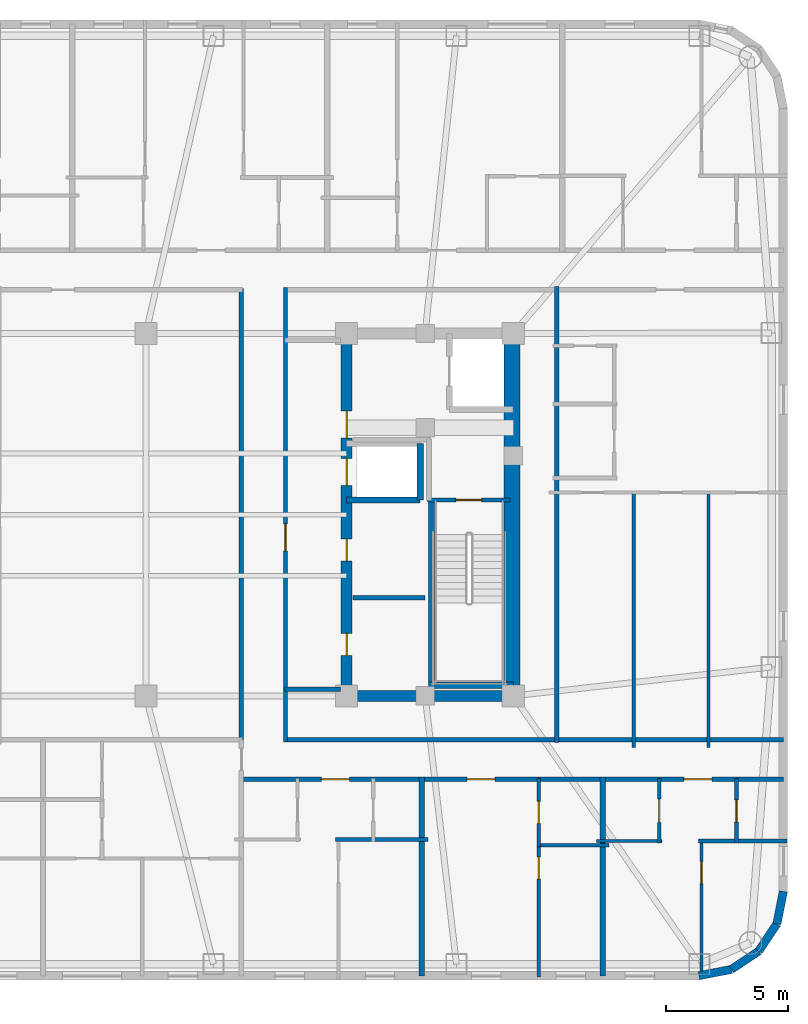
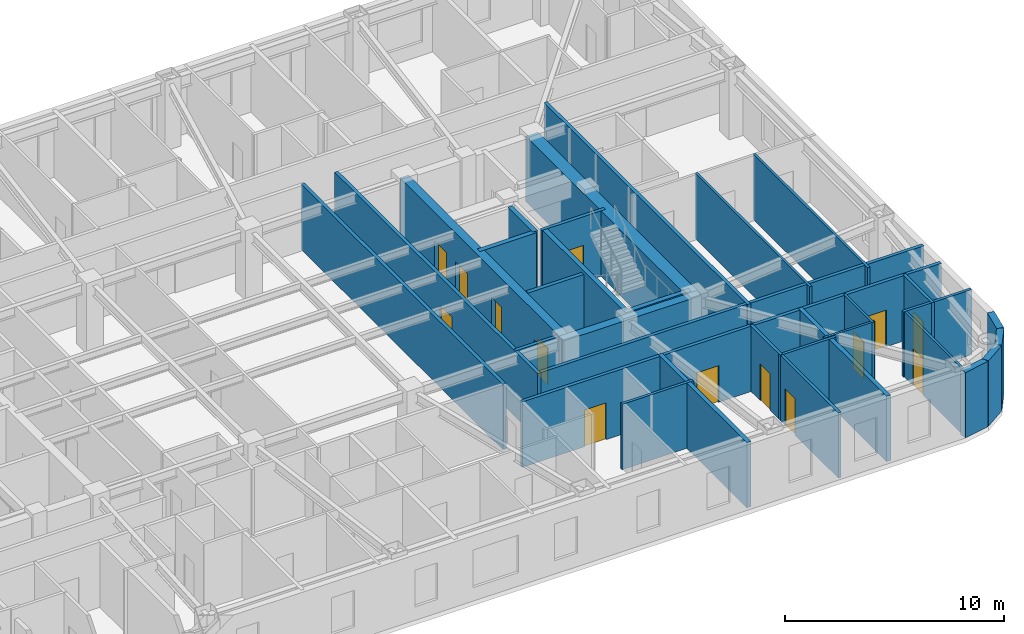
# One storey, part 6 of 11: 32 walls, 14 doors, 14 openings.
"""IFC4 building model written with IfcOpenShell, lengths in metres."""

from ifc_helpers import new_model, si_unit, direction, frame, frame_2d, origin, place, context, subcontext, project, spatial, rectangle, extrude, material, layer, layer_set, type_object, element, fill, save


model = new_model("IFC4")

# Units and contexts
model_context = context("Model", 3, precision=1e-05, world=origin(), true_north=direction((0.0, 1.0)))
body_context = subcontext(model_context, "Body", "Model", "MODEL_VIEW")
ifc_project = project(units=[si_unit("LENGTHUNIT", "METRE"), si_unit("AREAUNIT", "SQUARE_METRE"), si_unit("VOLUMEUNIT", "CUBIC_METRE"), si_unit("PLANEANGLEUNIT", "RADIAN"), si_unit("MASSUNIT", "GRAM", prefix="KILO")], contexts=[model_context])

# Site, building, storey
site_placement = place(None, origin())
site = spatial("IfcSite", under=ifc_project, at=site_placement, CompositionType="ELEMENT")
building_placement = place(site_placement, origin())
building = spatial("IfcBuilding", under=site, at=building_placement, Name="Voryun Gate Residences", CompositionType="ELEMENT")
storey_placement = place(building_placement, frame((0.0, 0.0, 223.60009765625)))
storey = spatial("IfcBuildingStorey", under=building, at=storey_placement, Name="L55", CompositionType="ELEMENT", Elevation=223.60009765625)

# Wall
ifc_material_1 = material(Name="Concrete C50/60", Category="concrete")
ifc_layer_1 = layer(ifc_material_1, 0.449951171875, Name="CW_CORE_450")
ifc_layer_set_1 = layer_set([ifc_layer_1], Name="Concrete C50/60")
wall_type_1 = type_object("IfcWallType", Name="CW_CORE_450", PredefinedType="SHEAR", material=ifc_layer_set_1)
wall_1_placement = place(storey_placement, frame((12.175048828125, -7.39990234375, 0.0), z_axis=(0.0, 0.0, 1.0), x_axis=(1.0, 0.0, 0.0)))
element("IfcWall", 1, at=wall_1_placement, inside=storey, type_object=wall_type_1, Name="L55 Core shear wall CW-L55-ES", PredefinedType="SHEAR", context=body_context, shape_type="SweptSolid", body=[
    extrude(rectangle(XDim=7.25, YDim=0.449951171875, at=frame_2d((3.625, 0.0))), origin(), (0.0, 0.0, 1.0), 3.64990234375),
])

# Wall, openings, doors
wall_2_placement = place(storey_placement, frame((12.39990234375, -7.39990234375, 0.0), z_axis=(0.0, 0.0, 1.0), x_axis=(0.0, 1.0, 0.0)))
wall_2 = element("IfcWall", 2, at=wall_2_placement, inside=storey, type_object=wall_type_1, Name="L55 Core shear wall CW-L55-EW", PredefinedType="SHEAR", context=body_context, shape_type="SweptSolid", body=[
    extrude(rectangle(XDim=14.7998046875, YDim=0.449951171875, at=frame_2d((7.39990234375, 0.0))), origin(), (0.0, 0.0, 1.0), 3.64990234375),
])
opening_1_placement = place(wall_2_placement, frame((8.60009765625, 0.0, 0.0)))
opening_1 = element("IfcOpeningElement", 3, at=opening_1_placement, cuts=wall_2, Name="Opening LD2", PredefinedType="OPENING", context=body_context, shape_type="SweptSolid", body=[
    extrude(rectangle(XDim=1.10009765625, YDim=2.050048828125, at=frame_2d((0.550048828125, 1.02490234375))), frame((0.0, 0.235107421875, 0.0), z_axis=(0.0, -1.0, 0.0), x_axis=(1.0, 0.0, 0.0)), (0.0, 0.0, 1.0), 0.469970703125),
])
opening_2_placement = place(wall_2_placement, frame((10.530029296875, 0.0, 0.0)))
opening_2 = element("IfcOpeningElement", 4, at=opening_2_placement, cuts=wall_2, Name="Opening D-FD60-2", PredefinedType="OPENING", context=body_context, shape_type="SweptSolid", body=[
    extrude(rectangle(XDim=1.10009765625, YDim=2.050048828125, at=frame_2d((0.550048828125, 1.02490234375))), frame((0.0, 0.235107421875, 0.0), z_axis=(0.0, -1.0, 0.0), x_axis=(1.0, 0.0, 0.0)), (0.0, 0.0, 1.0), 0.469970703125),
])
opening_3_placement = place(wall_2_placement, frame((1.64990234375, 0.0, 0.0)))
opening_3 = element("IfcOpeningElement", 5, at=opening_3_placement, cuts=wall_2, Name="Opening D-FD60-4", PredefinedType="OPENING", context=body_context, shape_type="SweptSolid", body=[
    extrude(rectangle(XDim=0.89990234375, YDim=2.050048828125, at=frame_2d((0.449951171875, 1.02490234375))), frame((0.0, 0.235107421875, 0.0), z_axis=(0.0, -1.0, 0.0), x_axis=(1.0, 0.0, 0.0)), (0.0, 0.0, 1.0), 0.469970703125),
])
opening_4_placement = place(wall_2_placement, frame((5.5, 0.0, 0.0)))
opening_4 = element("IfcOpeningElement", 6, at=opening_4_placement, cuts=wall_2, Name="Opening D-FD60-4", PredefinedType="OPENING", context=body_context, shape_type="SweptSolid", body=[
    extrude(rectangle(XDim=0.89990234375, YDim=2.050048828125, at=frame_2d((0.449951171875, 1.02490234375))), frame((0.0, 0.235107421875, 0.0), z_axis=(0.0, -1.0, 0.0), x_axis=(1.0, 0.0, 0.0)), (0.0, 0.0, 1.0), 0.469970703125),
])
ifc_material_2 = material(Name="Painted steel fire door", Category="steel")
door_type_1 = type_object("IfcDoorType", Name="DR_FD60_FFLOB_1100", OperationType="NOTDEFINED", PredefinedType="DOOR", material=ifc_material_2)
door_1_placement = place(opening_2_placement, origin())
door_1 = element("IfcDoor", 7, at=door_1_placement, inside=storey, type_object=door_type_1, Name="Door DR-L55-CLOB-E", OperationType="SINGLE_SWING_RIGHT", OverallHeight=2.050048828125, OverallWidth=1.10009765625, PredefinedType="DOOR", context=body_context, shape_type="SweptSolid", body=[
    extrude(rectangle(XDim=1.10009765625, YDim=2.050048828125, at=frame_2d((0.550048828125, 1.02490234375))), frame((0.0, 0.02490234375, 0.0), z_axis=(0.0, -1.0, 0.0), x_axis=(1.0, 0.0, 0.0)), (0.0, 0.0, 1.0), 0.050048828125),
])
fill(opening_2, door_1)
ifc_material_3 = material(Name="Painted steel fire door", Category="steel")
door_type_2 = type_object("IfcDoorType", Name="DR_FD60_RISER_900", OperationType="NOTDEFINED", PredefinedType="DOOR", material=ifc_material_3)
door_2_placement = place(opening_3_placement, origin())
door_2 = element("IfcDoor", 8, at=door_2_placement, inside=storey, type_object=door_type_2, Name="Door DR-L55-RECE-HIS", OperationType="SINGLE_SWING_RIGHT", OverallHeight=2.050048828125, OverallWidth=0.89990234375, PredefinedType="DOOR", context=body_context, shape_type="SweptSolid", body=[
    extrude(rectangle(XDim=0.89990234375, YDim=2.050048828125, at=frame_2d((0.449951171875, 1.02490234375))), frame((0.0, 0.02490234375, 0.0), z_axis=(0.0, -1.0, 0.0), x_axis=(1.0, 0.0, 0.0)), (0.0, 0.0, 1.0), 0.050048828125),
])
fill(opening_3, door_2)
door_3_placement = place(opening_4_placement, origin())
door_3 = element("IfcDoor", 9, at=door_3_placement, inside=storey, type_object=door_type_2, Name="Door DR-L55-RECE-HIN", OperationType="SINGLE_SWING_LEFT", OverallHeight=2.050048828125, OverallWidth=0.89990234375, PredefinedType="DOOR", context=body_context, shape_type="SweptSolid", body=[
    extrude(rectangle(XDim=0.89990234375, YDim=2.050048828125, at=frame_2d((0.449951171875, 1.02490234375))), frame((0.0, 0.02490234375, 0.0), z_axis=(0.0, -1.0, 0.0), x_axis=(1.0, 0.0, 0.0)), (0.0, 0.0, 1.0), 0.050048828125),
])
fill(opening_4, door_3)
ifc_material_4 = material(Name="Anodised aluminium", Category="aluminium")
door_type_3 = type_object("IfcDoorType", Name="DR_LD_PASS_1100", OperationType="NOTDEFINED", PredefinedType="DOOR", material=ifc_material_4)
door_4_placement = place(opening_1_placement, origin())
door_4 = element("IfcDoor", 10, at=door_4_placement, inside=storey, type_object=door_type_3, Name="Lift EL-P8 sliding landing door L55", OperationType="SLIDING_TO_LEFT", OverallHeight=2.050048828125, OverallWidth=1.10009765625, PredefinedType="DOOR", context=body_context, shape_type="SweptSolid", body=[
    extrude(rectangle(XDim=1.10009765625, YDim=2.050048828125, at=frame_2d((0.550048828125, 1.02490234375))), frame((0.0, 0.02490234375, 0.0), z_axis=(0.0, -1.0, 0.0), x_axis=(1.0, 0.0, 0.0)), (0.0, 0.0, 1.0), 0.050048828125),
])
fill(opening_1, door_4)

# Wall
ifc_material_5 = material(Name="Concrete C60/75", Category="concrete")
ifc_layer_2 = layer(ifc_material_5, 0.64990234375, Name="CW_CORE_650")
ifc_layer_set_2 = layer_set([ifc_layer_2], Name="Concrete C60/75")
wall_type_2 = type_object("IfcWallType", Name="CW_CORE_650", PredefinedType="SHEAR", material=ifc_layer_set_2)
wall_3_placement = place(storey_placement, frame((19.14501953125, -7.39990234375, 0.0), z_axis=(0.0, 0.0, 1.0), x_axis=(0.0, 1.0, 0.0)))
element("IfcWall", 11, at=wall_3_placement, inside=storey, type_object=wall_type_2, Name="L55 Core shear wall CW-L55-EE", PredefinedType="SHEAR", context=body_context, shape_type="SweptSolid", body=[
    extrude(rectangle(XDim=14.7998046875, YDim=0.64990234375, at=frame_2d((7.39990234375, 0.0))), origin(), (0.0, 0.0, 1.0), 3.64990234375),
])

# Wall, opening, door
ifc_material_6 = material(Name="Gypsum acoustic fireboard")
ifc_layer_3 = layer(ifc_material_6, 0.179931640625, Name="W_CORR_RATED_180")
ifc_layer_set_3 = layer_set([ifc_layer_3], Name="Gypsum acoustic fireboard")
wall_type_3 = type_object("IfcWallType", Name="W_CORR_RATED_180", PredefinedType="PARTITIONING", material=ifc_layer_set_3)
wall_4_placement = place(storey_placement, frame((15.699951171875, 0.60009765625, 0.0), z_axis=(0.0, 0.0, 1.0), x_axis=(1.0, 0.0, 0.0)))
wall_4 = element("IfcWall", 12, at=wall_4_placement, inside=storey, type_object=wall_type_3, Name="Partition wall WP-L55-STV-E", PredefinedType="PARTITIONING", context=body_context, shape_type="SweptSolid", body=[
    extrude(rectangle(XDim=3.360107421875, YDim=0.179931640625, at=frame_2d((1.68017578125, 0.0))), origin(), (0.0, 0.0, 1.0), 3.64990234375),
])
opening_5_placement = place(wall_4_placement, frame((1.155029296875, 0.0, 0.0)))
opening_5 = element("IfcOpeningElement", 13, at=opening_5_placement, cuts=wall_4, Name="Opening D-FD60-1", PredefinedType="OPENING", context=body_context, shape_type="SweptSolid", body=[
    extrude(rectangle(XDim=1.050048828125, YDim=2.050048828125, at=frame_2d((0.52490234375, 1.02490234375))), frame((0.0, 0.099853515625, 0.0), z_axis=(0.0, -1.0, 0.0), x_axis=(1.0, 0.0, 0.0)), (0.0, 0.0, 1.0), 0.199951171875),
])
ifc_material_7 = material(Name="Painted steel fire door", Category="steel")
door_type_4 = type_object("IfcDoorType", Name="DR_FD60_STAIR_1050", OperationType="NOTDEFINED", PredefinedType="DOOR", material=ifc_material_7)
door_5_placement = place(opening_5_placement, origin())
door_5 = element("IfcDoor", 14, at=door_5_placement, inside=storey, type_object=door_type_4, Name="Door DR-L55-ST-E", OperationType="SINGLE_SWING_RIGHT", OverallHeight=2.050048828125, OverallWidth=1.050048828125, PredefinedType="DOOR", context=body_context, shape_type="SweptSolid", body=[
    extrude(rectangle(XDim=1.050048828125, YDim=2.050048828125, at=frame_2d((0.52490234375, 1.02490234375))), frame((0.0, 0.02490234375, 0.0), z_axis=(0.0, -1.0, 0.0), x_axis=(1.0, 0.0, 0.0)), (0.0, 0.0, 1.0), 0.050048828125),
])
fill(opening_5, door_5)

# Wall
wall_5_placement = place(storey_placement, frame((9.8798828125, -7.1201171875, 0.0), z_axis=(0.0, 0.0, 1.0), x_axis=(1.0, 0.0, 0.0)))
element("IfcWall", 15, at=wall_5_placement, inside=storey, type_object=wall_type_3, Name="Partition wall WP-L55-PLBS-E", PredefinedType="PARTITIONING", context=body_context, shape_type="SweptSolid", body=[
    extrude(rectangle(XDim=2.27001953125, YDim=0.179931640625, at=frame_2d((1.135009765625, 0.0))), origin(), (0.0, 0.0, 1.0), 3.64990234375),
])

# Wall, opening, door
wall_6_placement = place(storey_placement, frame((9.89990234375, -9.280029296875, 0.0), z_axis=(0.0, 0.0, 1.0), x_axis=(0.0, 1.0, 0.0)))
wall_6 = element("IfcWall", 16, at=wall_6_placement, inside=storey, type_object=wall_type_3, Name="Partition wall WP-L55-PLBE-FULL", PredefinedType="PARTITIONING", context=body_context, shape_type="SweptSolid", body=[
    extrude(rectangle(XDim=18.56005859375, YDim=0.179931640625, at=frame_2d((9.280029296875, 0.0))), origin(), (0.0, 0.0, 1.0), 3.64990234375),
])
opening_6_placement = place(wall_6_placement, frame((7.802001953125, 0.0, 0.0)))
opening_6 = element("IfcOpeningElement", 17, at=opening_6_placement, cuts=wall_6, Name="Opening D-FD60-2", PredefinedType="OPENING", context=body_context, shape_type="SweptSolid", body=[
    extrude(rectangle(XDim=1.10009765625, YDim=2.050048828125, at=frame_2d((0.550048828125, 1.02490234375))), frame((0.0, 0.099853515625, 0.0), z_axis=(0.0, -1.0, 0.0), x_axis=(1.0, 0.0, 0.0)), (0.0, 0.0, 1.0), 0.199951171875),
])
door_6_placement = place(opening_6_placement, origin())
door_6 = element("IfcDoor", 18, at=door_6_placement, inside=storey, type_object=door_type_1, Name="Door DR-L55-PLBE-COR", OperationType="SINGLE_SWING_RIGHT", OverallHeight=2.050048828125, OverallWidth=1.10009765625, PredefinedType="DOOR", context=body_context, shape_type="SweptSolid", body=[
    extrude(rectangle(XDim=1.10009765625, YDim=2.050048828125, at=frame_2d((0.550048828125, 1.02490234375))), frame((0.0, 0.02490234375, 0.0), z_axis=(0.0, -1.0, 0.0), x_axis=(1.0, 0.0, 0.0)), (0.0, 0.0, 1.0), 0.050048828125),
])
fill(opening_6, door_6)

# Walls
wall_7_placement = place(storey_placement, frame((9.8798828125, -9.18994140625, 0.0), z_axis=(0.0, 0.0, 1.0), x_axis=(1.0, 0.0, 0.0)))
element("IfcWall", 19, at=wall_7_placement, inside=storey, type_object=wall_type_3, Name="Partition wall WP-L55-CWING-ES", PredefinedType="PARTITIONING", context=body_context, shape_type="SweptSolid", body=[
    extrude(rectangle(XDim=20.35009765625, YDim=0.179931640625, at=frame_2d((10.175048828125, 0.0))), origin(), (0.0, 0.0, 1.0), 3.64990234375),
])
wall_8_placement = place(storey_placement, frame((8.10009765625, -9.22998046875, 0.0), z_axis=(0.0, 0.0, 1.0), x_axis=(0.0, 1.0, 0.0)))
element("IfcWall", 20, at=wall_8_placement, inside=storey, type_object=wall_type_3, Name="Partition wall WP-L55-Z3E", PredefinedType="PARTITIONING", context=body_context, shape_type="SweptSolid", body=[
    extrude(rectangle(XDim=18.4599609375, YDim=0.179931640625, at=frame_2d((9.22998046875, 0.0))), origin(), (0.0, 0.0, 1.0), 3.64990234375),
])

# Wall, openings, doors
wall_9_placement = place(storey_placement, frame((8.080078125, -10.800048828125, 0.0), z_axis=(0.0, 0.0, 1.0), x_axis=(1.0, 0.0, 0.0)))
wall_9 = element("IfcWall", 21, at=wall_9_placement, inside=storey, type_object=wall_type_3, Name="Partition wall WP-L55-SCORR-E", PredefinedType="PARTITIONING", context=body_context, shape_type="SweptSolid", body=[
    extrude(rectangle(XDim=22.14990234375, YDim=0.179931640625, at=frame_2d((11.074951171875, 0.0))), origin(), (0.0, 0.0, 1.0), 3.64990234375),
])
opening_7_placement = place(wall_9_placement, frame((3.283447265625, 0.0, 0.0)))
opening_7 = element("IfcOpeningElement", 22, at=opening_7_placement, cuts=wall_9, Name="Opening D-UNIT-1", PredefinedType="OPENING", context=body_context, shape_type="SweptSolid", body=[
    extrude(rectangle(XDim=1.14990234375, YDim=2.050048828125, at=frame_2d((0.574951171875, 1.02490234375))), frame((0.0, 0.099853515625, 0.0), z_axis=(0.0, -1.0, 0.0), x_axis=(1.0, 0.0, 0.0)), (0.0, 0.0, 1.0), 0.199951171875),
])
opening_8_placement = place(wall_9_placement, frame((9.228515625, 0.0, 0.0)))
opening_8 = element("IfcOpeningElement", 23, at=opening_8_placement, cuts=wall_9, Name="Opening D-UNIT-1", PredefinedType="OPENING", context=body_context, shape_type="SweptSolid", body=[
    extrude(rectangle(XDim=1.14990234375, YDim=2.050048828125, at=frame_2d((0.574951171875, 1.02490234375))), frame((0.0, 0.099853515625, 0.0), z_axis=(0.0, -1.0, 0.0), x_axis=(1.0, 0.0, 0.0)), (0.0, 0.0, 1.0), 0.199951171875),
])
opening_9_placement = place(wall_9_placement, frame((18.084228515625, 0.0, 0.0)))
opening_9 = element("IfcOpeningElement", 24, at=opening_9_placement, cuts=wall_9, Name="Opening D-UNIT-1", PredefinedType="OPENING", context=body_context, shape_type="SweptSolid", body=[
    extrude(rectangle(XDim=1.14990234375, YDim=2.050048828125, at=frame_2d((0.574951171875, 1.02490234375))), frame((0.0, 0.099853515625, 0.0), z_axis=(0.0, -1.0, 0.0), x_axis=(1.0, 0.0, 0.0)), (0.0, 0.0, 1.0), 0.199951171875),
])
ifc_material_8 = material(Name="Armoured timber-clad fire door", Category="wood")
door_type_5 = type_object("IfcDoorType", Name="DR_UNIT_ENTRY_1150", OperationType="NOTDEFINED", PredefinedType="DOOR", material=ifc_material_8)
door_7_placement = place(opening_7_placement, origin())
door_7 = element("IfcDoor", 25, at=door_7_placement, inside=storey, type_object=door_type_5, Name="Door DR-L55-SENT-5", OperationType="SINGLE_SWING_RIGHT", OverallHeight=2.050048828125, OverallWidth=1.14990234375, PredefinedType="DOOR", context=body_context, shape_type="SweptSolid", body=[
    extrude(rectangle(XDim=1.14990234375, YDim=2.050048828125, at=frame_2d((0.574951171875, 1.02490234375))), frame((0.0, 0.02490234375, 0.0), z_axis=(0.0, -1.0, 0.0), x_axis=(1.0, 0.0, 0.0)), (0.0, 0.0, 1.0), 0.050048828125),
])
fill(opening_7, door_7)
door_8_placement = place(opening_8_placement, origin())
door_8 = element("IfcDoor", 26, at=door_8_placement, inside=storey, type_object=door_type_5, Name="Door DR-L55-SENT-6", OperationType="SINGLE_SWING_LEFT", OverallHeight=2.050048828125, OverallWidth=1.14990234375, PredefinedType="DOOR", context=body_context, shape_type="SweptSolid", body=[
    extrude(rectangle(XDim=1.14990234375, YDim=2.050048828125, at=frame_2d((0.574951171875, 1.02490234375))), frame((0.0, 0.02490234375, 0.0), z_axis=(0.0, -1.0, 0.0), x_axis=(1.0, 0.0, 0.0)), (0.0, 0.0, 1.0), 0.050048828125),
])
fill(opening_8, door_8)
door_9_placement = place(opening_9_placement, origin())
door_9 = element("IfcDoor", 27, at=door_9_placement, inside=storey, type_object=door_type_5, Name="Door DR-L55-SENT-7", OperationType="SINGLE_SWING_RIGHT", OverallHeight=2.050048828125, OverallWidth=1.14990234375, PredefinedType="DOOR", context=body_context, shape_type="SweptSolid", body=[
    extrude(rectangle(XDim=1.14990234375, YDim=2.050048828125, at=frame_2d((0.574951171875, 1.02490234375))), frame((0.0, 0.02490234375, 0.0), z_axis=(0.0, -1.0, 0.0), x_axis=(1.0, 0.0, 0.0)), (0.0, 0.0, 1.0), 0.050048828125),
])
fill(opening_9, door_9)

# Walls
wall_10_placement = place(storey_placement, frame((20.969970703125, -9.31005859375, 0.0), z_axis=(0.0, 0.0, 1.0), x_axis=(0.0, 1.0, 0.0)))
element("IfcWall", 28, at=wall_10_placement, inside=storey, type_object=wall_type_3, Name="Partition wall WP-L55-ECOR", PredefinedType="PARTITIONING", context=body_context, shape_type="SweptSolid", body=[
    extrude(rectangle(XDim=18.6201171875, YDim=0.179931640625, at=frame_2d((9.31005859375, 0.0))), origin(), (0.0, 0.0, 1.0), 3.64990234375),
])
ifc_material_9 = material(Name="Charcoal terracotta masonry", Category="masonry")
ifc_layer_4 = layer(ifc_material_9, 0.340087890625, Name="W_EXT_TERRACOTTA_340")
ifc_layer_set_4 = layer_set([ifc_layer_4], Name="Charcoal terracotta masonry")
wall_type_4 = type_object("IfcWallType", Name="W_EXT_TERRACOTTA_340", PredefinedType="ELEMENTEDWALL", material=ifc_layer_set_4)
wall_11_placement = place(storey_placement, frame((30.22998046875, -15.38330078125, 0.0), z_axis=(0.0, 0.0, 1.0), x_axis=(-0.195110379894, -0.98078129043, 0.0)))
element("IfcWall", 29, at=wall_11_placement, inside=storey, type_object=wall_type_4, Name="Exterior wall WEXT-L55-17", PredefinedType="ELEMENTEDWALL", context=body_context, shape_type="SweptSolid", body=[
    extrude(rectangle(XDim=1.35400390625, YDim=0.340087890625, at=frame_2d((0.677001953125, 0.0))), origin(), (0.0, 0.0, 1.0), 3.64990234375),
])
wall_12_placement = place(storey_placement, frame((29.9658203125, -16.711181640625, 0.0), z_axis=(0.0, 0.0, 1.0), x_axis=(-0.555584683399, -0.831459956686, 0.0)))
element("IfcWall", 30, at=wall_12_placement, inside=storey, type_object=wall_type_4, Name="Exterior wall WEXT-L55-18", PredefinedType="ELEMENTEDWALL", context=body_context, shape_type="SweptSolid", body=[
    extrude(rectangle(XDim=1.337158203125, YDim=0.340087890625, at=frame_2d((0.66845703125, 0.0))), origin(), (0.0, 0.0, 1.0), 3.64990234375),
])
wall_13_placement = place(storey_placement, frame((29.222900390625, -17.822998046875, 0.0), z_axis=(0.0, 0.0, 1.0), x_axis=(-0.831403586725, -0.555669034571, 0.0)))
element("IfcWall", 31, at=wall_13_placement, inside=storey, type_object=wall_type_4, Name="Exterior wall WEXT-L55-19", PredefinedType="ELEMENTEDWALL", context=body_context, shape_type="SweptSolid", body=[
    extrude(rectangle(XDim=1.3369140625, YDim=0.340087890625, at=frame_2d((0.66845703125, 0.0))), origin(), (0.0, 0.0, 1.0), 3.64990234375),
])
wall_14_placement = place(storey_placement, frame((28.111328125, -18.56591796875, 0.0), z_axis=(0.0, 0.0, 1.0), x_axis=(-0.980788153188, -0.195075878998, 0.0)))
element("IfcWall", 32, at=wall_14_placement, inside=storey, type_object=wall_type_4, Name="Exterior wall WEXT-L55-20", PredefinedType="ELEMENTEDWALL", context=body_context, shape_type="SweptSolid", body=[
    extrude(rectangle(XDim=1.354248046875, YDim=0.340087890625, at=frame_2d((0.67724609375, 0.0))), origin(), (0.0, 0.0, 1.0), 3.64990234375),
])
ifc_material_10 = material(Name="Concrete C40/50", Category="concrete")
ifc_layer_5 = layer(ifc_material_10, 0.199951171875, Name="W_FF_LOBBY_200")
ifc_layer_set_5 = layer_set([ifc_layer_5], Name="Concrete C40/50")
wall_type_5 = type_object("IfcWallType", Name="W_FF_LOBBY_200", PredefinedType="PARTITIONING", material=ifc_layer_set_5)
wall_15_placement = place(storey_placement, frame((12.659912109375, -3.389892578125, 0.0), z_axis=(0.0, 0.0, 1.0), x_axis=(1.0, 0.0, 0.0)))
element("IfcWall", 33, at=wall_15_placement, inside=storey, type_object=wall_type_5, Name="Partition wall WP-L55-RECEY-HI", PredefinedType="PARTITIONING", context=body_context, shape_type="SweptSolid", body=[
    extrude(rectangle(XDim=2.940185546875, YDim=0.199951171875, at=frame_2d((1.47021484375, 0.0))), origin(), (0.0, 0.0, 1.0), 3.64990234375),
])
ifc_material_11 = material(Name="Concrete C40/50", Category="concrete")
ifc_layer_6 = layer(ifc_material_11, 0.219970703125, Name="W_PARTY_ACOUSTIC_220")
ifc_layer_set_6 = layer_set([ifc_layer_6], Name="Concrete C40/50")
wall_type_6 = type_object("IfcWallType", Name="W_PARTY_ACOUSTIC_220", PredefinedType="PARTITIONING", material=ifc_layer_set_6)
for number, where, z_axis, x_axis, name in (
    (34, (15.466064453125, -18.830078125, 0.0), (0.0, 0.0, 1.0), (0.0, 1.0, 0.0), "Partition wall WP-L55-SPTY-5"),
    (35, (22.85107421875, -18.830078125, 0.0), (0.0, 0.0, 1.0), (0.0, 1.0, 0.0), "Partition wall WP-L55-SPTY-6"),
):
    element("IfcWall", number, at=place(storey_placement, frame(where, z_axis=z_axis, x_axis=x_axis)), inside=storey, type_object=wall_type_6, Name=name, PredefinedType="PARTITIONING", context=body_context, shape_type="SweptSolid", body=[
        extrude(rectangle(XDim=8.110107421875, YDim=0.219970703125, at=frame_2d((4.05517578125, 0.0))), origin(), (0.0, 0.0, 1.0), 3.64990234375),
    ])
ifc_material_12 = material(Name="Concrete C50/60", Category="concrete")
ifc_layer_7 = layer(ifc_material_12, 0.25, Name="W_SHAFT_RC250")
ifc_layer_set_7 = layer_set([ifc_layer_7], Name="Concrete C50/60")
wall_type_7 = type_object("IfcWallType", Name="W_SHAFT_RC250", PredefinedType="SOLIDWALL", material=ifc_layer_set_7)
wall_16_placement = place(storey_placement, frame((15.860107421875, -7.0849609375, 0.0), z_axis=(0.0, 0.0, 1.0), x_axis=(0.0, 1.0, 0.0)))
element("IfcWall", 36, at=wall_16_placement, inside=storey, type_object=wall_type_7, Name="L55 Stair shaft structural wall E-STL", PredefinedType="SOLIDWALL", context=body_context, shape_type="SweptSolid", body=[
    extrude(rectangle(XDim=7.68505859375, YDim=0.25, at=frame_2d((3.842529296875, 0.0))), origin(), (0.0, 0.0, 1.0), 3.64990234375),
])
wall_17_placement = place(storey_placement, frame((15.739990234375, -6.965087890625, 0.0), z_axis=(0.0, 0.0, 1.0), x_axis=(1.0, 0.0, 0.0)))
element("IfcWall", 37, at=wall_17_placement, inside=storey, type_object=wall_type_7, Name="L55 Stair shaft structural wall E-STS", PredefinedType="SOLIDWALL", context=body_context, shape_type="SweptSolid", body=[
    extrude(rectangle(XDim=3.4599609375, YDim=0.25, at=frame_2d((1.72998046875, 0.0))), origin(), (0.0, 0.0, 1.0), 3.64990234375),
])
wall_18_placement = place(storey_placement, frame((12.39990234375, 0.60009765625, 0.0), z_axis=(0.0, 0.0, 1.0), x_axis=(1.0, 0.0, 0.0)))
element("IfcWall", 38, at=wall_18_placement, inside=storey, type_object=wall_type_7, Name="Lift shaft wall WSH-L55-EL-P8-S", PredefinedType="SOLIDWALL", context=body_context, shape_type="SweptSolid", body=[
    extrude(rectangle(XDim=3.0, YDim=0.25, at=frame_2d((1.5, 0.0))), origin(), (0.0, 0.0, 1.0), 3.64990234375),
])
wall_19_placement = place(storey_placement, frame((15.39990234375, 0.60009765625, 0.0), z_axis=(0.0, 0.0, 1.0), x_axis=(0.0, 1.0, 0.0)))
element("IfcWall", 39, at=wall_19_placement, inside=storey, type_object=wall_type_7, Name="Lift shaft wall WSH-L55-EL-P8-E", PredefinedType="SOLIDWALL", context=body_context, shape_type="SweptSolid", body=[
    extrude(rectangle(XDim=2.2998046875, YDim=0.25, at=frame_2d((1.14990234375, 0.0))), origin(), (0.0, 0.0, 1.0), 3.64990234375),
])

# Wall, opening, door
ifc_material_13 = material(Name="Gypsum acoustic partition")
ifc_layer_8 = layer(ifc_material_13, 0.125, Name="W_UNIT_PART_125")
ifc_layer_set_8 = layer_set([ifc_layer_8], Name="Gypsum acoustic partition")
wall_type_8 = type_object("IfcWallType", Name="W_UNIT_PART_125", PredefinedType="PARTITIONING", material=ifc_layer_set_8)
wall_20_placement = place(storey_placement, frame((26.886962890625, -18.96240234375, 0.0), z_axis=(0.0, 0.0, 1.0), x_axis=(0.0, 1.0, 0.0)))
wall_20 = element("IfcWall", 40, at=wall_20_placement, inside=storey, type_object=wall_type_8, Name="Partition wall WP-L55-S7-OVR", PredefinedType="PARTITIONING", context=body_context, shape_type="SweptSolid", body=[
    extrude(rectangle(XDim=5.71728515625, YDim=0.125, at=frame_2d((2.858642578125, 0.0))), origin(), (0.0, 0.0, 1.0), 3.64990234375),
])
opening_10_placement = place(wall_20_placement, frame((3.89501953125, 0.0, 0.0)))
opening_10 = element("IfcOpeningElement", 41, at=opening_10_placement, cuts=wall_20, Name="Opening D-INT-2", PredefinedType="OPENING", context=body_context, shape_type="SweptSolid", body=[
    extrude(rectangle(XDim=0.89990234375, YDim=2.050048828125, at=frame_2d((0.449951171875, 1.02490234375))), frame((0.0, 0.072509765625, 0.0), z_axis=(0.0, -1.0, 0.0), x_axis=(1.0, 0.0, 0.0)), (0.0, 0.0, 1.0), 0.14501953125),
])
ifc_material_14 = material(Name="Architectural oak veneer")
door_type_6 = type_object("IfcDoorType", Name="DR_INT_BATH_900", OperationType="NOTDEFINED", PredefinedType="DOOR", material=ifc_material_14)
door_10_placement = place(opening_10_placement, origin())
door_10 = element("IfcDoor", 42, at=door_10_placement, inside=storey, type_object=door_type_6, Name="Door DR-L55-S7-DMB", OperationType="SINGLE_SWING_RIGHT", OverallHeight=2.050048828125, OverallWidth=0.89990234375, PredefinedType="DOOR", context=body_context, shape_type="SweptSolid", body=[
    extrude(rectangle(XDim=0.89990234375, YDim=2.050048828125, at=frame_2d((0.449951171875, 1.02490234375))), frame((0.0, 0.02490234375, 0.0), z_axis=(0.0, -1.0, 0.0), x_axis=(1.0, 0.0, 0.0)), (0.0, 0.0, 1.0), 0.050048828125),
])
fill(opening_10, door_10)

wall_21_placement = place(storey_placement, frame((25.160888671875, -13.405029296875, 0.0), z_axis=(0.0, 0.0, 1.0), x_axis=(0.0, 1.0, 0.0)))
wall_21 = element("IfcWall", 43, at=wall_21_placement, inside=storey, type_object=wall_type_8, Name="Partition wall WP-L55-S7-IVK", PredefinedType="PARTITIONING", context=body_context, shape_type="SweptSolid", body=[
    extrude(rectangle(XDim=2.625, YDim=0.125, at=frame_2d((1.3125, 0.0))), origin(), (0.0, 0.0, 1.0), 3.64990234375),
])
opening_11_placement = place(wall_21_placement, frame((0.83740234375, 0.0, 0.0)))
opening_11 = element("IfcOpeningElement", 44, at=opening_11_placement, cuts=wall_21, Name="Opening D-INT-1", PredefinedType="OPENING", context=body_context, shape_type="SweptSolid", body=[
    extrude(rectangle(XDim=0.949951171875, YDim=2.050048828125, at=frame_2d((0.47509765625, 1.02490234375))), frame((0.0, 0.072509765625, 0.0), z_axis=(0.0, -1.0, 0.0), x_axis=(1.0, 0.0, 0.0)), (0.0, 0.0, 1.0), 0.14501953125),
])
ifc_material_15 = material(Name="Architectural oak veneer")
door_type_7 = type_object("IfcDoorType", Name="DR_INT_ROOM_950", OperationType="NOTDEFINED", PredefinedType="DOOR", material=ifc_material_15)
door_11_placement = place(opening_11_placement, origin())
door_11 = element("IfcDoor", 45, at=door_11_placement, inside=storey, type_object=door_type_7, Name="Door DR-L55-S7-DK", OperationType="SINGLE_SWING_LEFT", OverallHeight=2.050048828125, OverallWidth=0.949951171875, PredefinedType="DOOR", context=body_context, shape_type="SweptSolid", body=[
    extrude(rectangle(XDim=0.949951171875, YDim=2.050048828125, at=frame_2d((0.47509765625, 1.02490234375))), frame((0.0, 0.02490234375, 0.0), z_axis=(0.0, -1.0, 0.0), x_axis=(1.0, 0.0, 0.0)), (0.0, 0.0, 1.0), 0.050048828125),
])
fill(opening_11, door_11)

# Walls
wall_22_placement = place(storey_placement, frame((22.591064453125, -13.324951171875, 0.0), z_axis=(0.0, 0.0, 1.0), x_axis=(1.0, 0.0, 0.0)))
element("IfcWall", 46, at=wall_22_placement, inside=storey, type_object=wall_type_8, Name="Partition wall WP-L55-S7-HZK", PredefinedType="PARTITIONING", context=body_context, shape_type="SweptSolid", body=[
    extrude(rectangle(XDim=2.68994140625, YDim=0.125, at=frame_2d((1.344970703125, 0.0))), origin(), (0.0, 0.0, 1.0), 3.64990234375),
])
for number, where, z_axis, x_axis, name in (
    (47, (27.178955078125, -9.510009765625, 0.0), (0.0, 0.0, 1.0), (0.0, 1.0, 0.0), "Partition wall WP-L55-E1-VMB2"),
    (48, (24.12109375, -9.510009765625, 0.0), (0.0, 0.0, 1.0), (0.0, 1.0, 0.0), "Partition wall WP-L55-E1-VMB"),
):
    element("IfcWall", number, at=place(storey_placement, frame(where, z_axis=z_axis, x_axis=x_axis)), inside=storey, type_object=wall_type_8, Name=name, PredefinedType="PARTITIONING", context=body_context, shape_type="SweptSolid", body=[
        extrude(rectangle(XDim=10.47998046875, YDim=0.125, at=frame_2d((5.239990234375, 0.0))), origin(), (0.0, 0.0, 1.0), 3.64990234375),
    ])
ifc_material_16 = material(Name="Gypsum moisture-resistant partition")
ifc_layer_9 = layer(ifc_material_16, 0.14990234375, Name="W_WET_PLUMB_150")
ifc_layer_set_9 = layer_set([ifc_layer_9], Name="Gypsum moisture-resistant partition")
wall_type_9 = type_object("IfcWallType", Name="W_WET_PLUMB_150", PredefinedType="PLUMBINGWALL", material=ifc_layer_set_9)
wall_23_placement = place(storey_placement, frame((11.93603515625, -13.264892578125, 0.0), z_axis=(0.0, 0.0, 1.0), x_axis=(1.0, 0.0, 0.0)))
element("IfcWall", 49, at=wall_23_placement, inside=storey, type_object=wall_type_9, Name="Partition wall WP-L55-S5-HZB", PredefinedType="PLUMBINGWALL", context=body_context, shape_type="SweptSolid", body=[
    extrude(rectangle(XDim=3.7900390625, YDim=0.14990234375, at=frame_2d((1.89501953125, 0.0))), origin(), (0.0, 0.0, 1.0), 3.64990234375),
])
wall_24_placement = place(storey_placement, frame((20.160888671875, -13.5, 0.0), z_axis=(0.0, 0.0, 1.0), x_axis=(1.0, 0.0, 0.0)))
element("IfcWall", 50, at=wall_24_placement, inside=storey, type_object=wall_type_9, Name="Partition wall WP-L55-S6-SKB", PredefinedType="PLUMBINGWALL", context=body_context, shape_type="SweptSolid", body=[
    extrude(rectangle(XDim=2.9501953125, YDim=0.14990234375, at=frame_2d((1.47509765625, 0.0))), origin(), (0.0, 0.0, 1.0), 3.64990234375),
])

# Wall, opening, door
wall_25_placement = place(storey_placement, frame((20.240966796875, -18.876708984375, 0.0), z_axis=(0.0, 0.0, 1.0), x_axis=(0.0, 1.0, 0.0)))
wall_25 = element("IfcWall", 51, at=wall_25_placement, inside=storey, type_object=wall_type_9, Name="Partition wall WP-L55-S6-SVT1", PredefinedType="PLUMBINGWALL", context=body_context, shape_type="SweptSolid", body=[
    extrude(rectangle(XDim=5.416748046875, YDim=0.14990234375, at=frame_2d((2.70849609375, 0.0))), origin(), (0.0, 0.0, 1.0), 3.64990234375),
])
opening_12_placement = place(wall_25_placement, frame((3.99169921875, 0.0, 0.0)))
opening_12 = element("IfcOpeningElement", 52, at=opening_12_placement, cuts=wall_25, Name="Opening D-INT-2", PredefinedType="OPENING", context=body_context, shape_type="SweptSolid", body=[
    extrude(rectangle(XDim=0.89990234375, YDim=2.050048828125, at=frame_2d((0.449951171875, 1.02490234375))), frame((0.0, 0.0849609375, 0.0), z_axis=(0.0, -1.0, 0.0), x_axis=(1.0, 0.0, 0.0)), (0.0, 0.0, 1.0), 0.169921875),
])
door_12_placement = place(opening_12_placement, origin())
door_12 = element("IfcDoor", 53, at=door_12_placement, inside=storey, type_object=door_type_6, Name="Door DR-L55-S6-DK", OperationType="SINGLE_SWING_LEFT", OverallHeight=2.050048828125, OverallWidth=0.89990234375, PredefinedType="DOOR", context=body_context, shape_type="SweptSolid", body=[
    extrude(rectangle(XDim=0.89990234375, YDim=2.050048828125, at=frame_2d((0.449951171875, 1.02490234375))), frame((0.0, 0.02490234375, 0.0), z_axis=(0.0, -1.0, 0.0), x_axis=(1.0, 0.0, 0.0)), (0.0, 0.0, 1.0), 0.050048828125),
])
fill(opening_12, door_12)

wall_26_placement = place(storey_placement, frame((20.240966796875, -13.5400390625, 0.0), z_axis=(0.0, 0.0, 1.0), x_axis=(0.0, 1.0, 0.0)))
wall_26 = element("IfcWall", 54, at=wall_26_placement, inside=storey, type_object=wall_type_9, Name="Partition wall WP-L55-S6-SVT2", PredefinedType="PLUMBINGWALL", context=body_context, shape_type="SweptSolid", body=[
    extrude(rectangle(XDim=2.760009765625, YDim=0.14990234375, at=frame_2d((1.3798828125, 0.0))), origin(), (0.0, 0.0, 1.0), 3.64990234375),
])
opening_13_placement = place(wall_26_placement, frame((0.929931640625, 0.0, 0.0)))
opening_13 = element("IfcOpeningElement", 55, at=opening_13_placement, cuts=wall_26, Name="Opening D-INT-2", PredefinedType="OPENING", context=body_context, shape_type="SweptSolid", body=[
    extrude(rectangle(XDim=0.89990234375, YDim=2.050048828125, at=frame_2d((0.449951171875, 1.02490234375))), frame((0.0, 0.0849609375, 0.0), z_axis=(0.0, -1.0, 0.0), x_axis=(1.0, 0.0, 0.0)), (0.0, 0.0, 1.0), 0.169921875),
])
door_13_placement = place(opening_13_placement, origin())
door_13 = element("IfcDoor", 56, at=door_13_placement, inside=storey, type_object=door_type_6, Name="Door DR-L55-S6-DB", OperationType="SINGLE_SWING_RIGHT", OverallHeight=2.050048828125, OverallWidth=0.89990234375, PredefinedType="DOOR", context=body_context, shape_type="SweptSolid", body=[
    extrude(rectangle(XDim=0.89990234375, YDim=2.050048828125, at=frame_2d((0.449951171875, 1.02490234375))), frame((0.0, 0.02490234375, 0.0), z_axis=(0.0, -1.0, 0.0), x_axis=(1.0, 0.0, 0.0)), (0.0, 0.0, 1.0), 0.050048828125),
])
fill(opening_13, door_13)

# Wall
wall_27_placement = place(storey_placement, frame((26.76708984375, -13.324951171875, 0.0), z_axis=(0.0, 0.0, 1.0), x_axis=(1.0, 0.0, 0.0)))
element("IfcWall", 57, at=wall_27_placement, inside=storey, type_object=wall_type_9, Name="Partition wall WP-L55-S7-HZB", PredefinedType="PLUMBINGWALL", context=body_context, shape_type="SweptSolid", body=[
    extrude(rectangle(XDim=3.61279296875, YDim=0.14990234375, at=frame_2d((1.806396484375, 0.0))), origin(), (0.0, 0.0, 1.0), 3.64990234375),
])

# Wall, opening, door
wall_28_placement = place(storey_placement, frame((28.31689453125, -13.405029296875, 0.0), z_axis=(0.0, 0.0, 1.0), x_axis=(0.0, 1.0, 0.0)))
wall_28 = element("IfcWall", 58, at=wall_28_placement, inside=storey, type_object=wall_type_9, Name="Partition wall WP-L55-S7-IVB", PredefinedType="PLUMBINGWALL", context=body_context, shape_type="SweptSolid", body=[
    extrude(rectangle(XDim=2.625, YDim=0.14990234375, at=frame_2d((1.3125, 0.0))), origin(), (0.0, 0.0, 1.0), 3.64990234375),
])
opening_14_placement = place(wall_28_placement, frame((0.862548828125, 0.0, 0.0)))
opening_14 = element("IfcOpeningElement", 59, at=opening_14_placement, cuts=wall_28, Name="Opening D-INT-2", PredefinedType="OPENING", context=body_context, shape_type="SweptSolid", body=[
    extrude(rectangle(XDim=0.89990234375, YDim=2.050048828125, at=frame_2d((0.449951171875, 1.02490234375))), frame((0.0, 0.0849609375, 0.0), z_axis=(0.0, -1.0, 0.0), x_axis=(1.0, 0.0, 0.0)), (0.0, 0.0, 1.0), 0.169921875),
])
door_14_placement = place(opening_14_placement, origin())
door_14 = element("IfcDoor", 60, at=door_14_placement, inside=storey, type_object=door_type_6, Name="Door DR-L55-S7-DB", OperationType="SINGLE_SWING_RIGHT", OverallHeight=2.050048828125, OverallWidth=0.89990234375, PredefinedType="DOOR", context=body_context, shape_type="SweptSolid", body=[
    extrude(rectangle(XDim=0.89990234375, YDim=2.050048828125, at=frame_2d((0.449951171875, 1.02490234375))), frame((0.0, 0.02490234375, 0.0), z_axis=(0.0, -1.0, 0.0), x_axis=(1.0, 0.0, 0.0)), (0.0, 0.0, 1.0), 0.050048828125),
])
fill(opening_14, door_14)

save(model, "model.ifc")
